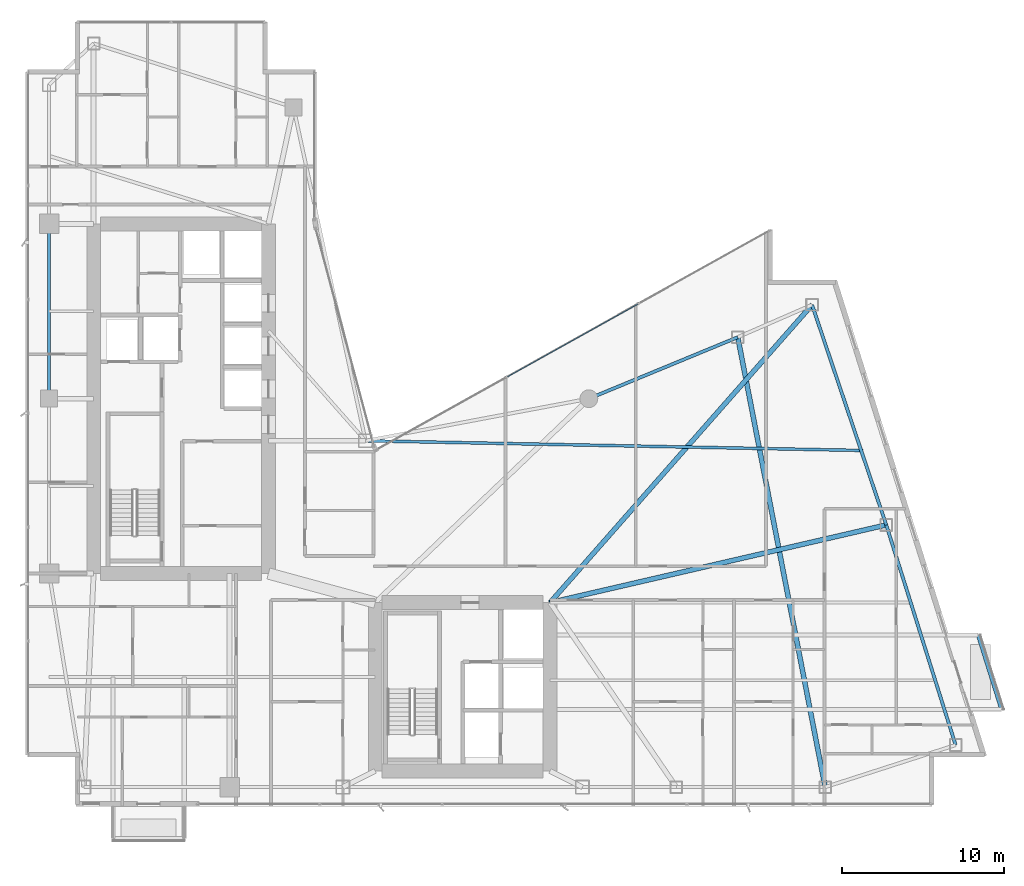
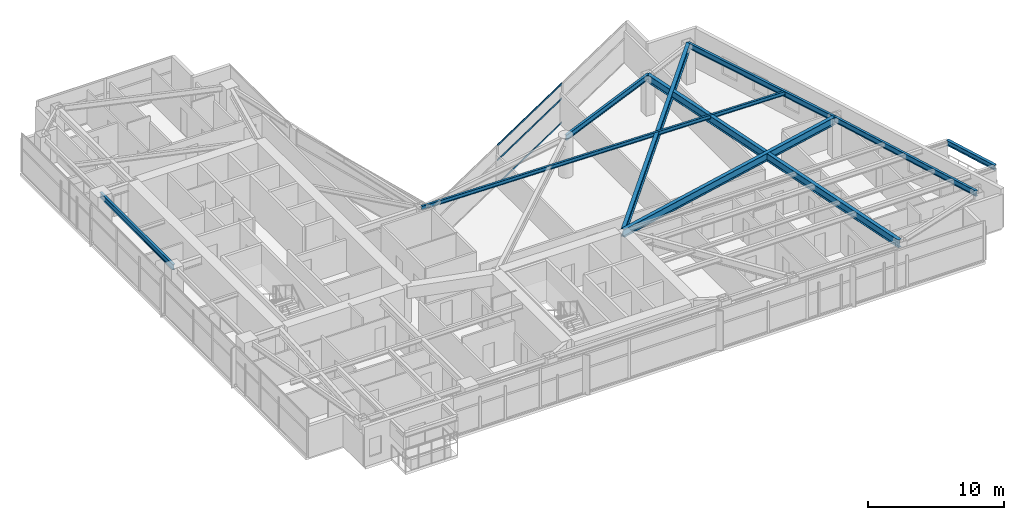
# One storey, part 15 of 29: 9 beams, 3 members, 1 element without a shape of its own.
"""IFC4 building model written with IfcOpenShell, lengths in metres."""

from ifc_helpers import new_model, si_unit, direction, frame, origin, origin_2d, place, context, subcontext, project, spatial, hollow_rectangle, i_section, extrude, material, layer, layer_set, material_profile, profile_set, type_object, element, aggregate, save


model = new_model("IFC4")

# Units and contexts
model_context = context("Model", 3, precision=1e-05, world=origin(), true_north=direction((0.0, 1.0)))
body_context = subcontext(model_context, "Body", "Model", "MODEL_VIEW")
ifc_project = project(units=[si_unit("LENGTHUNIT", "METRE"), si_unit("AREAUNIT", "SQUARE_METRE"), si_unit("VOLUMEUNIT", "CUBIC_METRE"), si_unit("PLANEANGLEUNIT", "RADIAN"), si_unit("MASSUNIT", "GRAM", prefix="KILO")], contexts=[model_context])

# Site, building, storey
site_placement = place(None, origin())
site = spatial("IfcSite", under=ifc_project, at=site_placement, CompositionType="ELEMENT")
building_placement = place(site_placement, origin())
building = spatial("IfcBuilding", under=site, at=building_placement, Name="Calvorn Quay Hotel", CompositionType="ELEMENT")
storey_placement = place(building_placement, frame((0.0, 0.0, 120.199951171875)))
storey = spatial("IfcBuildingStorey", under=building, at=storey_placement, Name="L29", CompositionType="ELEMENT", Elevation=120.199951171875)

# Beams
ifc_material_1 = material(Name="Steel Q355B", Category="steel")
ifc_material_profile_1 = material_profile(ifc_material_1, i_section(OverallWidth=0.25, OverallDepth=0.449951171875, WebThickness=0.011962890625, FlangeThickness=0.01611328125, FilletRadius=0.01611328125, at=origin_2d()), Name="HN450x250x12x16")
ifc_profile_set_1 = profile_set([ifc_material_profile_1], Name="Steel Q355B")
beam_type_1 = type_object("IfcBeamType", Name="BM-CANT-BALC", PredefinedType="BEAM", material=ifc_profile_set_1)
beam_1_placement = place(storey_placement, frame((60.30810546875, 8.39990234375, 3.31494140625), z_axis=(-0.300666214801, 0.953729430854, 0.0), x_axis=(-0.953729430854, -0.300666214801, 0.0)))
element("IfcBeam", 1, at=beam_1_placement, inside=storey, type_object=beam_type_1, Name="Beam BCBO-L30-1", PredefinedType="BEAM", context=body_context, shape_type="SweptSolid", body=[
    extrude(i_section(OverallWidth=0.25, OverallDepth=0.449951171875, WebThickness=0.011962890625, FlangeThickness=0.01611328125, FilletRadius=0.01611328125, at=origin_2d()), origin(), (0.0, 0.0, 1.0), 4.8232421875),
])
ifc_material_2 = material(Name="Steel Q390GJC", Category="steel")
ifc_material_profile_2 = material_profile(ifc_material_2, i_section(OverallWidth=0.300048828125, OverallDepth=0.699951171875, WebThickness=0.012939453125, FlangeThickness=0.02392578125, FilletRadius=0.02392578125, at=origin_2d()), Name="HN700x300x13x24")
ifc_profile_set_2 = profile_set([ifc_material_profile_2], Name="Steel Q390GJC")
beam_type_2 = type_object("IfcBeamType", Name="BM-GIRD-MAIN", PredefinedType="BEAM", material=ifc_profile_set_2)
beam_2_placement = place(storey_placement, frame((32.39990234375, 15.0, 3.18994140625), z_axis=(0.974334045812, 0.225107012711, 0.0), x_axis=(-0.225107012711, 0.974334045812, 0.0)))
element("IfcBeam", 2, at=beam_2_placement, inside=storey, type_object=beam_type_2, Name="Beam BG-L29-E2", PredefinedType="BEAM", context=body_context, shape_type="SweptSolid", body=[
    extrude(i_section(OverallWidth=0.300048828125, OverallDepth=0.699951171875, WebThickness=0.012939453125, FlangeThickness=0.02392578125, FilletRadius=0.02392578125, at=origin_2d()), origin(), (0.0, 0.0, 1.0), 21.323486328125),
])
beam_3_placement = place(storey_placement, frame((32.39990234375, 15.0, 3.18994140625), z_axis=(0.660610604248, 0.750728732336, 0.0), x_axis=(-0.750728732336, 0.660610604248, 0.0)))
element("IfcBeam", 3, at=beam_3_placement, inside=storey, type_object=beam_type_2, Name="Beam BG-L29-E3", PredefinedType="BEAM", context=body_context, shape_type="SweptSolid", body=[
    extrude(i_section(OverallWidth=0.300048828125, OverallDepth=0.699951171875, WebThickness=0.012939453125, FlangeThickness=0.02392578125, FilletRadius=0.02392578125, at=origin_2d()), origin(), (0.0, 0.0, 1.0), 24.50927734375),
])
beam_4_placement = place(storey_placement, frame((49.39990234375, 3.60009765625, 3.18994140625), z_axis=(-0.190678596862, 0.981652521363, 0.0), x_axis=(-0.981652521363, -0.190678596862, 0.0)))
element("IfcBeam", 4, at=beam_4_placement, inside=storey, type_object=beam_type_2, Name="Beam BG-L29-E5", PredefinedType="BEAM", context=body_context, shape_type="SweptSolid", body=[
    extrude(i_section(OverallWidth=0.300048828125, OverallDepth=0.699951171875, WebThickness=0.012939453125, FlangeThickness=0.02392578125, FilletRadius=0.02392578125, at=origin_2d()), origin(), (0.0, 0.0, 1.0), 28.3193359375),
])
ifc_material_3 = material(Name="Steel Q355B", Category="steel")
ifc_material_profile_3 = material_profile(ifc_material_3, i_section(OverallWidth=0.175048828125, OverallDepth=0.35009765625, WebThickness=0.007080078125, FlangeThickness=0.010986328125, FilletRadius=0.013916015625, at=origin_2d()), Name="HN350x175x7x11")
ifc_profile_set_3 = profile_set([ifc_material_profile_3], Name="Steel Q355B")
beam_type_3 = type_object("IfcBeamType", Name="BM-JOIST-SEC", PredefinedType="JOIST", material=ifc_profile_set_3)
beam_5_placement = place(storey_placement, frame((21.0, 25.0, 3.364990234375), z_axis=(0.999809345134, -0.019526222968, 0.0), x_axis=(0.019526222968, 0.999809345134, 0.0)))
element("IfcBeam", 5, at=beam_5_placement, inside=storey, type_object=beam_type_3, Name="Beam BJ-L29-E3", PredefinedType="JOIST", context=body_context, shape_type="SweptSolid", body=[
    extrude(i_section(OverallWidth=0.175048828125, OverallDepth=0.35009765625, WebThickness=0.007080078125, FlangeThickness=0.010986328125, FilletRadius=0.013916015625, at=origin_2d()), origin(), (0.0, 0.0, 1.0), 30.73291015625),
])
ifc_material_4 = material(Name="Steel Q355B", Category="steel")
ifc_material_profile_4 = material_profile(ifc_material_4, i_section(OverallWidth=0.199951171875, OverallDepth=0.5, WebThickness=0.010009765625, FlangeThickness=0.01611328125, FilletRadius=0.01611328125, at=origin_2d()), Name="HN500x200x10x16")
ifc_profile_set_4 = profile_set([ifc_material_profile_4], Name="Steel Q355B")
beam_type_4 = type_object("IfcBeamType", Name="BM-SPANDREL-Z1", PredefinedType="SPANDREL", material=ifc_profile_set_4)
beam_6_placement = place(storey_placement, frame((1.449951171875, 27.60009765625, 3.2900390625), z_axis=(0.0, 1.0, 0.0), x_axis=(-1.0, 0.0, 0.0)))
element("IfcBeam", 6, at=beam_6_placement, inside=storey, type_object=beam_type_4, Name="Beam BSP-L29-W3", PredefinedType="SPANDREL", context=body_context, shape_type="SweptSolid", body=[
    extrude(i_section(OverallWidth=0.199951171875, OverallDepth=0.5, WebThickness=0.010009765625, FlangeThickness=0.01611328125, FilletRadius=0.01611328125, at=origin_2d()), origin(), (0.0, 0.0, 1.0), 10.7998046875),
])
beam_7_placement = place(storey_placement, frame((57.4609375, 6.199951171875, 3.2900390625), z_axis=(-0.300502802767, 0.953780931624, 0.0), x_axis=(-0.953780931624, -0.300502802767, 0.0)))
element("IfcBeam", 7, at=beam_7_placement, inside=storey, type_object=beam_type_4, Name="Beam BSP-L29-E1", PredefinedType="SPANDREL", context=body_context, shape_type="SweptSolid", body=[
    extrude(i_section(OverallWidth=0.199951171875, OverallDepth=0.5, WebThickness=0.010009765625, FlangeThickness=0.01611328125, FilletRadius=0.01611328125, at=origin_2d()), origin(), (0.0, 0.0, 1.0), 14.259033203125),
])
beam_8_placement = place(storey_placement, frame((53.176025390625, 19.800048828125, 3.2900390625), z_axis=(-0.319466515944, 0.947597564998, 0.0), x_axis=(-0.947597564998, -0.319466515944, 0.0)))
element("IfcBeam", 8, at=beam_8_placement, inside=storey, type_object=beam_type_4, Name="Beam BSP-L29-E2", PredefinedType="SPANDREL", context=body_context, shape_type="SweptSolid", body=[
    extrude(i_section(OverallWidth=0.199951171875, OverallDepth=0.5, WebThickness=0.010009765625, FlangeThickness=0.01611328125, FilletRadius=0.01611328125, at=origin_2d()), origin(), (0.0, 0.0, 1.0), 14.35205078125),
])
beam_9_placement = place(storey_placement, frame((44.0, 31.39990234375, 3.2900390625), z_axis=(-0.92426763497, -0.381745123017, 0.0), x_axis=(0.381745123017, -0.92426763497, 0.0)))
element("IfcBeam", 9, at=beam_9_placement, inside=storey, type_object=beam_type_4, Name="Beam BSP-L29-E4", PredefinedType="SPANDREL", context=body_context, shape_type="SweptSolid", body=[
    extrude(i_section(OverallWidth=0.199951171875, OverallDepth=0.5, WebThickness=0.010009765625, FlangeThickness=0.01611328125, FilletRadius=0.01611328125, at=origin_2d()), origin(), (0.0, 0.0, 1.0), 9.953857421875),
])

# Curtain wall, members
ifc_material_5 = material(Name="Pale Anodised Aluminium and Low-E Glass", Category="aluminium")
ifc_layer = layer(ifc_material_5, 0.219970703125)
ifc_layer_set = layer_set([ifc_layer], Name="CW-SYS-Z2")
curtain_wall_type = type_object("IfcCurtainWallType", Name="CW-SYS-Z2", PredefinedType="NOTDEFINED", material=ifc_layer_set)
curtain_wall_placement = place(storey_placement, origin())
curtain_wall = element("IfcCurtainWall", 10, at=curtain_wall_placement, inside=storey, type_object=curtain_wall_type, Name="Inner Court Curtain Wall L29-NE1", PredefinedType="NOTDEFINED")
ifc_material_6 = material(Name="Pale Anodised Aluminium 6063-T6", Category="aluminium")
ifc_material_profile_5 = material_profile(ifc_material_6, hollow_rectangle(XDim=0.06005859375, YDim=0.14990234375, WallThickness=0.00341796875, at=origin_2d()), Name="ALU-T150x60x3.5")
ifc_profile_set_5 = profile_set([ifc_material_profile_5], Name="Pale Anodised Aluminium 6063-T6")
member_type = type_object("IfcMemberType", Name="CW-SYS-Z2-TRN", PredefinedType="USERDEFINED", material=ifc_profile_set_5)
member_1_placement = place(storey_placement, frame((37.840576171875, 33.4521484375, 0.030029296875), z_axis=(-0.873483012802, -0.486854625474, 0.0), x_axis=(0.486854625474, -0.873483012802, 0.0)))
member_1 = element("IfcMember", 11, at=member_1_placement, type_object=member_type, Name="CW-L29-NE1 transom 2.1", ObjectType="TRANSOM", PredefinedType="USERDEFINED", context=body_context, shape_type="SweptSolid", body=[
    extrude(hollow_rectangle(XDim=0.06005859375, YDim=0.14990234375, WallThickness=0.00341796875, at=origin_2d()), origin(), (0.0, 0.0, 1.0), 9.25146484375),
])
member_2_placement = place(storey_placement, frame((37.840576171875, 33.4521484375, 2.199951171875), z_axis=(-0.873483012802, -0.486854625474, 0.0), x_axis=(0.486854625474, -0.873483012802, 0.0)))
member_2 = element("IfcMember", 12, at=member_2_placement, type_object=member_type, Name="CW-L29-NE1 transom 2.2", ObjectType="TRANSOM", PredefinedType="USERDEFINED", context=body_context, shape_type="SweptSolid", body=[
    extrude(hollow_rectangle(XDim=0.06005859375, YDim=0.14990234375, WallThickness=0.00341796875, at=origin_2d()), origin(), (0.0, 0.0, 1.0), 9.25146484375),
])
member_3_placement = place(storey_placement, frame((37.840576171875, 33.4521484375, 3.530029296875), z_axis=(-0.873483012802, -0.486854625474, 0.0), x_axis=(0.486854625474, -0.873483012802, 0.0)))
member_3 = element("IfcMember", 13, at=member_3_placement, type_object=member_type, Name="CW-L29-NE1 transom 2.3", ObjectType="TRANSOM", PredefinedType="USERDEFINED", context=body_context, shape_type="SweptSolid", body=[
    extrude(hollow_rectangle(XDim=0.06005859375, YDim=0.14990234375, WallThickness=0.00341796875, at=origin_2d()), origin(), (0.0, 0.0, 1.0), 9.25146484375),
])
aggregate(curtain_wall, [member_1, member_2, member_3])

save(model, "model.ifc")
